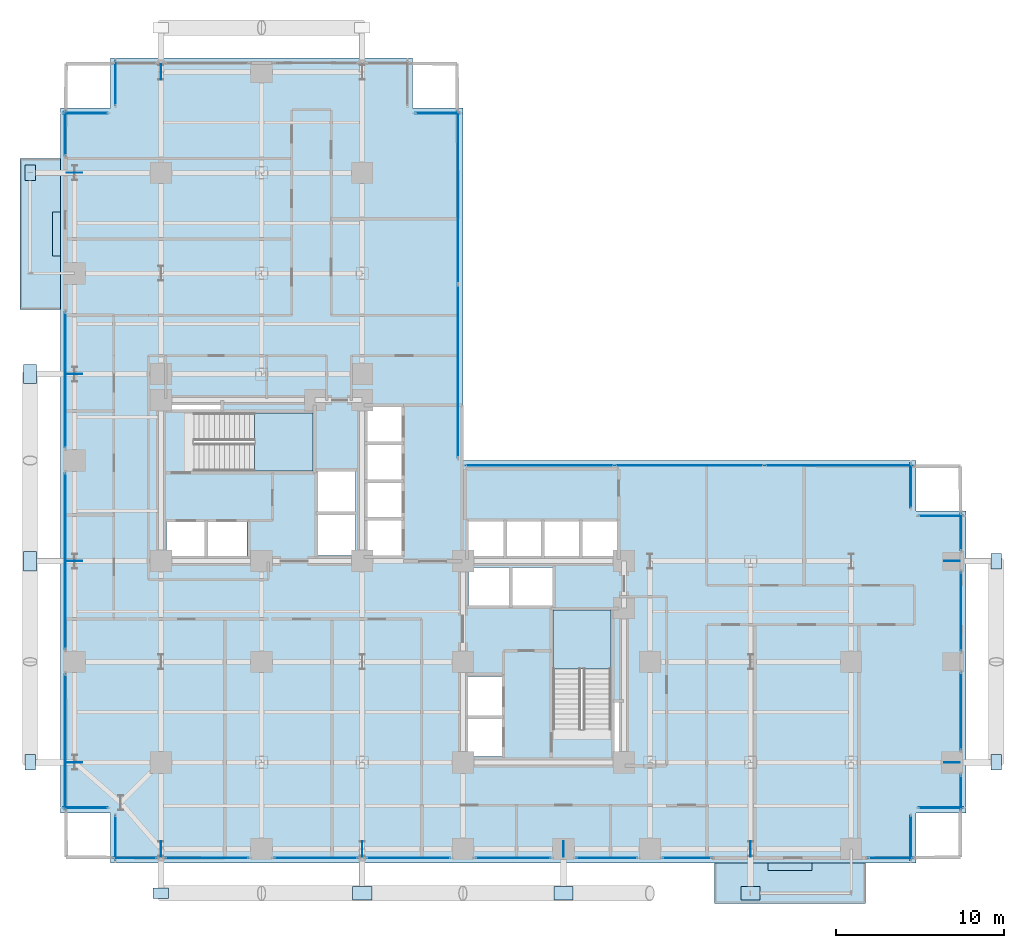
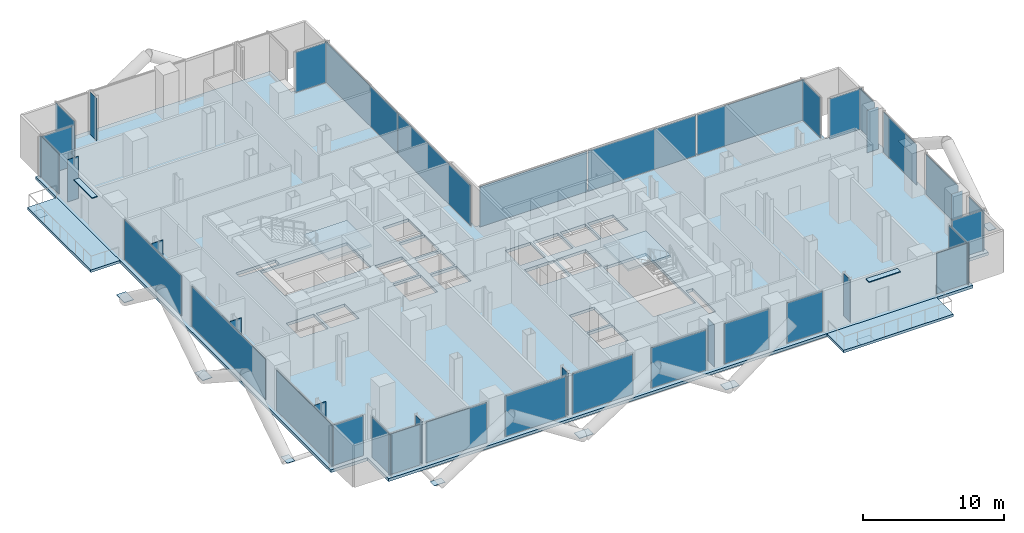
# One storey, part 17 of 27: 53 plates, 5 slabs, 29 elements without a shape of their own.
"""IFC4 building model written with IfcOpenShell, lengths in metres."""

import ifcopenshell
import ifcopenshell.guid

model = None  # the IFC model being written
_history = None  # IfcOwnerHistory: only IFC2X3 demands one
_inside = {}  # id of a spatial element -> (the spatial element, [elements in it])
_under = {}  # id of a project, library or spatial element -> (it, [spatial elements below it])
_declared = {}  # id of a project -> (the project, [libraries it declares])
_typed = {}  # id of a type object -> (the type object, [elements of that type])
_made_of = {}  # id of a material, layer set ... -> (it, [elements and type objects made of it])


def new_model(schema):
    """Start an empty IFC model of exactly this schema.

    Asked for "IFC4X3", IfcOpenShell would pick the latest addendum, in which some entities
    have other attributes; the version numbers below select the first issue.
    IFC2X3 requires an IfcOwnerHistory on every rooted entity: one is made here for all.
    """
    global model, _history
    if schema == "IFC4X3":
        model = ifcopenshell.file(schema_version=(4, 3, 0, 0))
    else:
        model = ifcopenshell.file(schema=schema)
    _inside.clear()
    _under.clear()
    _declared.clear()
    _typed.clear()
    _made_of.clear()
    _history = None
    if model.schema == "IFC2X3":
        org = make("IfcOrganization", Name="unknown")
        user = make(
            "IfcPersonAndOrganization",
            ThePerson=make("IfcPerson", FamilyName="unknown"),
            TheOrganization=org,
        )
        app = make(
            "IfcApplication",
            ApplicationDeveloper=org,
            Version="unknown",
            ApplicationFullName="unknown",
            ApplicationIdentifier="unknown",
        )
        _history = make(
            "IfcOwnerHistory",
            OwningUser=user,
            OwningApplication=app,
            ChangeAction="ADDED",
            CreationDate=0,
        )
    return model


def make(cls, **values):
    """One entity of the class cls with the attributes given. An attribute that is None is left unset."""
    return model.create_entity(
        cls, **{name: value for name, value in values.items() if value is not None}
    )


def rooted(cls, **values):
    """An entity with a GlobalId (a new one), such as an element, a storey or a relation."""
    return make(cls, GlobalId=ifcopenshell.guid.new(), OwnerHistory=_history, **values)


def si_unit(unit_type, name, prefix=None):
    """IfcSIUnit, for example si_unit("LENGTHUNIT", "METRE", prefix="MILLI")."""
    return make("IfcSIUnit", UnitType=unit_type, Prefix=prefix, Name=name)


def assignment(units):
    """IfcUnitAssignment: the units of a project."""
    return None if units is None else make("IfcUnitAssignment", Units=units)


def point(xyz):
    """IfcCartesianPoint."""
    return None if xyz is None else make("IfcCartesianPoint", Coordinates=xyz)


def direction(xyz):
    """IfcDirection."""
    return None if xyz is None else make("IfcDirection", DirectionRatios=xyz)


def frame(location, z_axis=None, x_axis=None):
    """IfcAxis2Placement3D, a coordinate frame: its origin and axes. An axis left out is left unset."""
    return make(
        "IfcAxis2Placement3D",
        Location=point(location),
        Axis=direction(z_axis),
        RefDirection=direction(x_axis),
    )


def frame_2d(location, x_axis=None):
    """IfcAxis2Placement2D, a coordinate frame in the plane: its origin and x axis."""
    return make(
        "IfcAxis2Placement2D", Location=point(location), RefDirection=direction(x_axis)
    )


def origin():
    """The frame at (0, 0, 0) with its axes left unset."""
    return frame((0.0, 0.0, 0.0))


def origin_2d():
    """The frame at (0, 0) in the plane with its x axis left unset."""
    return frame_2d((0.0, 0.0))


def place(relative_to, where):
    """IfcLocalPlacement: puts the frame where relative to a parent placement (None: the world)."""
    return make(
        "IfcLocalPlacement", PlacementRelTo=relative_to, RelativePlacement=where
    )


def context(
    kind, dimensions, precision=None, world=None, true_north=None, identifier=None
):
    """IfcGeometricRepresentationContext, for example the 3D "Model" context."""
    return make(
        "IfcGeometricRepresentationContext",
        ContextIdentifier=identifier,
        ContextType=kind,
        CoordinateSpaceDimension=dimensions,
        Precision=precision,
        WorldCoordinateSystem=world,
        TrueNorth=true_north,
    )


def subcontext(parent, identifier, kind, view, scale=None):
    """IfcGeometricRepresentationSubContext, for example "Body" below "Model"."""
    return make(
        "IfcGeometricRepresentationSubContext",
        ContextIdentifier=identifier,
        ContextType=kind,
        ParentContext=parent,
        TargetScale=scale,
        TargetView=view,
    )


def project(units=None, contexts=None):
    """IfcProject with its units and contexts."""
    return rooted(
        "IfcProject",
        Name="project",
        RepresentationContexts=contexts,
        UnitsInContext=assignment(units),
    )


def spatial(cls, under=None, at=None, **own):
    """A site, building, storey or space (cls), placed at a placement, below another one or the project."""
    s = rooted(cls, ObjectPlacement=at, **own)
    if under is not None:
        _under.setdefault(under.id(), (under, []))[1].append(s)
    return s


def polyline(points):
    """IfcPolyline through the points."""
    return make("IfcPolyline", Points=[point(p) for p in points])


def profile(cls, at=None, kind="AREA", **sizes):
    """A parametric profile (cls). Its sizes go by their IFC names, for example OverallWidth=200.0."""
    return make(cls, ProfileType=kind, Position=at, **sizes)


def rectangle(**sizes):
    """IfcRectangleProfileDef."""
    return profile("IfcRectangleProfileDef", **sizes)


def outline(outer, holes=None, kind="AREA"):
    """IfcArbitraryClosedProfileDef: a profile drawn as a closed curve; with holes, ...WithVoids."""
    if holes is None:
        return make("IfcArbitraryClosedProfileDef", ProfileType=kind, OuterCurve=outer)
    return make(
        "IfcArbitraryProfileDefWithVoids",
        ProfileType=kind,
        OuterCurve=outer,
        InnerCurves=holes,
    )


def extrude(swept, where, along, depth):
    """IfcExtrudedAreaSolid: the profile swept, set in the frame where, extruded along a direction by depth."""
    return make(
        "IfcExtrudedAreaSolid",
        SweptArea=swept,
        Position=where,
        ExtrudedDirection=direction(along),
        Depth=depth,
    )


def shape(context_of_items, identifier, shape_type, items):
    """IfcShapeRepresentation: the items that make up one representation, for example the "Body"."""
    return make(
        "IfcShapeRepresentation",
        ContextOfItems=context_of_items,
        RepresentationIdentifier=identifier,
        RepresentationType=shape_type,
        Items=items,
    )


def material(Name=None, Category=None):
    """IfcMaterial."""
    return make("IfcMaterial", Name=Name, Category=Category)


def layer(
    of_material, thickness, ventilated=None, Name=None, Category=None, Priority=None
):
    """IfcMaterialLayer: one layer of a wall or slab, of a material (None: an air gap)."""
    return make(
        "IfcMaterialLayer",
        Material=of_material,
        LayerThickness=thickness,
        IsVentilated=ventilated,
        Name=Name,
        Category=Category,
        Priority=Priority,
    )


def layer_set(layers, Name=None):
    """IfcMaterialLayerSet."""
    return make("IfcMaterialLayerSet", MaterialLayers=layers, LayerSetName=Name)


def made_of(thing, what):
    """Note that an element or type object is made of a material, layer set ...; save() writes the relation."""
    if what is not None:
        _made_of.setdefault(what.id(), (what, []))[1].append(thing)
    return thing


def type_object(cls, material=None, **own):
    """A type object (cls), such as IfcWallType, which elements share."""
    return made_of(rooted(cls, **own), material)


def element(
    cls,
    number,
    at=None,
    inside=None,
    cuts=None,
    type_object=None,
    material=None,
    context=None,
    identifier="Body",
    shape_type=None,
    held_by="IfcProductDefinitionShape",
    body=None,
    shapes=None,
    **own,
):
    """One element of the class cls, such as IfcWall. Its Tag is "e" and its number.

    at: its placement. inside: the storey or other place that contains it. cuts: it is an
    opening in that element (IfcRelVoidsElement). A single representation is given by context,
    identifier, shape_type and body (its items); several are given by shapes. held_by: the class
    of the entity that holds the representations. save() writes the other relations.
    """
    e = rooted(cls, Tag="e%d" % number, ObjectPlacement=at, **own)
    if body is not None:
        shapes = [shape(context, identifier, shape_type, body)]
    if shapes is not None:
        e.Representation = make(held_by, Representations=shapes)
    if inside is not None:
        _inside.setdefault(inside.id(), (inside, []))[1].append(e)
    if cuts is not None:
        rooted(
            "IfcRelVoidsElement", RelatingBuildingElement=cuts, RelatedOpeningElement=e
        )
    if type_object is not None:
        _typed.setdefault(type_object.id(), (type_object, []))[1].append(e)
    return made_of(e, material)


def aggregate(whole, parts):
    """IfcRelAggregates: a whole, such as a stair, and the parts it consists of."""
    return rooted("IfcRelAggregates", RelatingObject=whole, RelatedObjects=parts)


def save(model, path):
    """Write the relations noted so far, then the file.

    IfcRelAggregates (storeys below a building ...), IfcRelContainedInSpatialStructure (elements
    in a storey), IfcRelDefinesByType, IfcRelAssociatesMaterial and IfcRelDeclares: one each for
    every whole, place, type object, material and project.
    """
    for whole, parts in _under.values():
        aggregate(whole, parts)
    for where, things in _inside.values():
        rooted(
            "IfcRelContainedInSpatialStructure",
            RelatedElements=things,
            RelatingStructure=where,
        )
    for kind, things in _typed.values():
        rooted("IfcRelDefinesByType", RelatedObjects=things, RelatingType=kind)
    for what, things in _made_of.values():
        rooted("IfcRelAssociatesMaterial", RelatedObjects=things, RelatingMaterial=what)
    for by, libraries in _declared.values():
        rooted("IfcRelDeclares", RelatingContext=by, RelatedDefinitions=libraries)
    model.write(path)


model = new_model("IFC4")

# Units and contexts
model_context = context("Model", 3, precision=1e-05, world=origin(), true_north=direction((0.0, 1.0)))
body_context = subcontext(model_context, "Body", "Model", "MODEL_VIEW")
ifc_project = project(units=[si_unit("LENGTHUNIT", "METRE"), si_unit("AREAUNIT", "SQUARE_METRE"), si_unit("VOLUMEUNIT", "CUBIC_METRE"), si_unit("PLANEANGLEUNIT", "RADIAN"), si_unit("MASSUNIT", "GRAM", prefix="KILO"), si_unit("THERMODYNAMICTEMPERATUREUNIT", "KELVIN"), si_unit("POWERUNIT", "WATT")], contexts=[model_context])

# Site, building, storey
site_placement = place(None, origin())
site = spatial("IfcSite", under=ifc_project, at=site_placement, CompositionType="ELEMENT")
building_placement = place(site_placement, origin())
building = spatial("IfcBuilding", under=site, at=building_placement, Name="Svarakhadi Broadcast Tower", CompositionType="ELEMENT")
storey_placement = place(building_placement, frame((0.0, 0.0, 71.39990234375)))
storey = spatial("IfcBuildingStorey", under=building, at=storey_placement, Name="L16", CompositionType="ELEMENT", Elevation=71.39990234375)

# Curtain wall, plate
ifc_material_1 = material(Name="Anodised Bronze Aluminium AA 6063-T6", Category="aluminium")
ifc_layer_1 = layer(ifc_material_1, 0.219970703125)
ifc_layer_set_1 = layer_set([ifc_layer_1], Name="Anodised Bronze Aluminium AA 6063-T6")
curtain_wall_type = type_object("IfcCurtainWallType", Name="CW_Sys_02", PredefinedType="NOTDEFINED", material=ifc_layer_set_1)
curtain_wall_1_placement = place(storey_placement, origin())
curtain_wall_1 = element("IfcCurtainWall", 1, at=curtain_wall_1_placement, inside=storey, type_object=curtain_wall_type, Name="L16 Unitised Facade Curtain Wall 01", PredefinedType="NOTDEFINED")
ifc_material_2 = material(Name="Double Low-E Laminated Acoustic Glass IGU 36 mm", Category="glass")
ifc_layer_2 = layer(ifc_material_2, 0.035888671875)
ifc_layer_set_2 = layer_set([ifc_layer_2], Name="Double Low-E Laminated Acoustic Glass IGU 36 mm")
plate_type_1 = type_object("IfcPlateType", Name="CW_Sys_02_Pnl", PredefinedType="CURTAIN_PANEL", material=ifc_layer_set_2)
plate_1_placement = place(storey_placement, frame((1.5, 3.300048828125, 0.0751953125), z_axis=(0.0, 0.0, 1.0), x_axis=(-1.0, 0.0, 0.0)))
plate_1 = element("IfcPlate", 2, at=plate_1_placement, type_object=plate_type_1, Name="CW-02 panel 1.1", PredefinedType="CURTAIN_PANEL", context=body_context, shape_type="SweptSolid", body=[
    extrude(rectangle(XDim=2.64990234375, YDim=0.035888671875, at=origin_2d()), origin(), (0.0, 0.0, 1.0), 3.5),
])
aggregate(curtain_wall_1, [plate_1])

curtain_wall_2_placement = place(storey_placement, origin())
curtain_wall_2 = element("IfcCurtainWall", 3, at=curtain_wall_2_placement, inside=storey, type_object=curtain_wall_type, Name="L16 West Curtain Wall 02 Bay 1", PredefinedType="NOTDEFINED")
plate_2_placement = place(storey_placement, frame((0.300048828125, 7.2099609375, 0.0751953125), z_axis=(0.0, 0.0, 1.0), x_axis=(0.0, 1.0, 0.0)))
plate_2 = element("IfcPlate", 4, at=plate_2_placement, type_object=plate_type_1, Name="CW-02 panel 1.1", PredefinedType="CURTAIN_PANEL", context=body_context, shape_type="SweptSolid", body=[
    extrude(rectangle(XDim=8.070068359375, YDim=0.035888671875, at=origin_2d()), origin(), (0.0, 0.0, 1.0), 3.5),
])
aggregate(curtain_wall_2, [plate_2])

curtain_wall_3_placement = place(storey_placement, origin())
curtain_wall_3 = element("IfcCurtainWall", 5, at=curtain_wall_3_placement, inside=storey, type_object=curtain_wall_type, Name="L16 West Curtain Wall 02 Bay 2", PredefinedType="NOTDEFINED")
plate_3_placement = place(storey_placement, frame((0.300048828125, 18.0, 0.0751953125), z_axis=(0.0, 0.0, 1.0), x_axis=(0.0, 1.0, 0.0)))
plate_3 = element("IfcPlate", 6, at=plate_3_placement, type_object=plate_type_1, Name="CW-02 panel 1.1", PredefinedType="CURTAIN_PANEL", context=body_context, shape_type="SweptSolid", body=[
    extrude(rectangle(XDim=10.489990234375, YDim=0.035888671875, at=origin_2d()), origin(), (0.0, 0.0, 1.0), 3.5),
])
aggregate(curtain_wall_3, [plate_3])

curtain_wall_4_placement = place(storey_placement, origin())
curtain_wall_4 = element("IfcCurtainWall", 7, at=curtain_wall_4_placement, inside=storey, type_object=curtain_wall_type, Name="L16 West Curtain Wall 02 Bay 3", PredefinedType="NOTDEFINED")
plate_4_placement = place(storey_placement, frame((0.300048828125, 28.7900390625, 0.0751953125), z_axis=(0.0, 0.0, 1.0), x_axis=(0.0, 1.0, 0.0)))
plate_4 = element("IfcPlate", 8, at=plate_4_placement, type_object=plate_type_1, Name="CW-02 panel 1.1", PredefinedType="CURTAIN_PANEL", context=body_context, shape_type="SweptSolid", body=[
    extrude(rectangle(XDim=8.070068359375, YDim=0.035888671875, at=origin_2d()), origin(), (0.0, 0.0, 1.0), 3.5),
])
aggregate(curtain_wall_4, [plate_4])

curtain_wall_5_placement = place(storey_placement, origin())
curtain_wall_5 = element("IfcCurtainWall", 9, at=curtain_wall_5_placement, inside=storey, type_object=curtain_wall_type, Name="L16 West Curtain Wall 03", PredefinedType="NOTDEFINED")
plate_5_placement = place(storey_placement, frame((0.300048828125, 43.5, 0.0751953125), z_axis=(0.0, 0.0, 1.0), x_axis=(0.0, 1.0, 0.0)))
plate_5 = element("IfcPlate", 10, at=plate_5_placement, type_object=plate_type_1, Name="CW-02 panel 1.1", PredefinedType="CURTAIN_PANEL", context=body_context, shape_type="SweptSolid", body=[
    extrude(rectangle(XDim=2.64990234375, YDim=0.035888671875, at=origin_2d()), origin(), (0.0, 0.0, 1.0), 3.5),
])
aggregate(curtain_wall_5, [plate_5])

curtain_wall_6_placement = place(storey_placement, origin())
curtain_wall_6 = element("IfcCurtainWall", 11, at=curtain_wall_6_placement, inside=storey, type_object=curtain_wall_type, Name="L16 Unitised Facade Curtain Wall 04", PredefinedType="NOTDEFINED")
plate_6_placement = place(storey_placement, frame((1.5, 44.699951171875, 0.0751953125), z_axis=(0.0, 0.0, 1.0), x_axis=(1.0, 0.0, 0.0)))
plate_6 = element("IfcPlate", 12, at=plate_6_placement, type_object=plate_type_1, Name="CW-02 panel 1.1", PredefinedType="CURTAIN_PANEL", context=body_context, shape_type="SweptSolid", body=[
    extrude(rectangle(XDim=2.64990234375, YDim=0.035888671875, at=origin_2d()), origin(), (0.0, 0.0, 1.0), 3.5),
])
aggregate(curtain_wall_6, [plate_6])

curtain_wall_7_placement = place(storey_placement, origin())
curtain_wall_7 = element("IfcCurtainWall", 13, at=curtain_wall_7_placement, inside=storey, type_object=curtain_wall_type, Name="L16 Unitised Facade Curtain Wall 05", PredefinedType="NOTDEFINED")
plate_7_placement = place(storey_placement, frame((3.300048828125, 46.5, 0.0751953125), z_axis=(0.0, 0.0, 1.0), x_axis=(0.0, 1.0, 0.0)))
plate_7 = element("IfcPlate", 14, at=plate_7_placement, type_object=plate_type_1, Name="CW-02 panel 1.1", PredefinedType="CURTAIN_PANEL", context=body_context, shape_type="SweptSolid", body=[
    extrude(rectangle(XDim=2.64990234375, YDim=0.035888671875, at=origin_2d()), origin(), (0.0, 0.0, 1.0), 3.5),
])
aggregate(curtain_wall_7, [plate_7])

curtain_wall_8_placement = place(storey_placement, origin())
curtain_wall_8 = element("IfcCurtainWall", 15, at=curtain_wall_8_placement, inside=storey, type_object=curtain_wall_type, Name="L16 Unitised Facade Curtain Wall 08", PredefinedType="NOTDEFINED")
plate_8_placement = place(storey_placement, frame((22.5, 44.699951171875, 0.0751953125), z_axis=(0.0, 0.0, 1.0), x_axis=(1.0, 0.0, 0.0)))
plate_8 = element("IfcPlate", 16, at=plate_8_placement, type_object=plate_type_1, Name="CW-02 panel 1.1", PredefinedType="CURTAIN_PANEL", context=body_context, shape_type="SweptSolid", body=[
    extrude(rectangle(XDim=2.64990234375, YDim=0.035888671875, at=origin_2d()), origin(), (0.0, 0.0, 1.0), 3.5),
])
aggregate(curtain_wall_8, [plate_8])

# Curtain wall, plates
curtain_wall_9_placement = place(storey_placement, origin())
curtain_wall_9 = element("IfcCurtainWall", 17, at=curtain_wall_9_placement, inside=storey, type_object=curtain_wall_type, Name="L16 Unitised Facade Curtain Wall 09", PredefinedType="NOTDEFINED")
plate_9_placement = place(storey_placement, frame((23.699951171875, 39.683837890625, 0.0751953125), z_axis=(0.0, 0.0, 1.0), x_axis=(0.0, -1.0, 0.0)))
plate_9 = element("IfcPlate", 18, at=plate_9_placement, type_object=plate_type_1, Name="CW-02 panel 1.1", PredefinedType="CURTAIN_PANEL", context=body_context, shape_type="SweptSolid", body=[
    extrude(rectangle(XDim=10.282470703125, YDim=0.035888671875, at=origin_2d()), origin(), (0.0, 0.0, 1.0), 3.5),
])
plate_10_placement = place(storey_placement, frame((23.699951171875, 29.316162109375, 0.0751953125), z_axis=(0.0, 0.0, 1.0), x_axis=(0.0, -1.0, 0.0)))
plate_10 = element("IfcPlate", 19, at=plate_10_placement, type_object=plate_type_1, Name="CW-02 panel 2.1", PredefinedType="CURTAIN_PANEL", context=body_context, shape_type="SweptSolid", body=[
    extrude(rectangle(XDim=10.282470703125, YDim=0.035888671875, at=origin_2d()), origin(), (0.0, 0.0, 1.0), 3.5),
])
aggregate(curtain_wall_9, [plate_9, plate_10])

curtain_wall_10_placement = place(storey_placement, origin())
curtain_wall_10 = element("IfcCurtainWall", 20, at=curtain_wall_10_placement, inside=storey, type_object=curtain_wall_type, Name="L16 Unitised Facade Curtain Wall 10", PredefinedType="NOTDEFINED")
plate_11_placement = place(storey_placement, frame((28.581298828125, 23.699951171875, 0.0751953125), z_axis=(0.0, 0.0, 1.0), x_axis=(1.0, 0.0, 0.0)))
plate_11 = element("IfcPlate", 21, at=plate_11_placement, type_object=plate_type_1, Name="CW-02 panel 1.1", PredefinedType="CURTAIN_PANEL", context=body_context, shape_type="SweptSolid", body=[
    extrude(rectangle(XDim=8.8125, YDim=0.035888671875, at=origin_2d()), origin(), (0.0, 0.0, 1.0), 3.5),
])
plate_12_placement = place(storey_placement, frame((37.5, 23.699951171875, 0.0751953125), z_axis=(0.0, 0.0, 1.0), x_axis=(1.0, 0.0, 0.0)))
plate_12 = element("IfcPlate", 22, at=plate_12_placement, type_object=plate_type_1, Name="CW-02 panel 2.1", PredefinedType="CURTAIN_PANEL", context=body_context, shape_type="SweptSolid", body=[
    extrude(rectangle(XDim=8.85498046875, YDim=0.035888671875, at=origin_2d()), origin(), (0.0, 0.0, 1.0), 3.5),
])
plate_13_placement = place(storey_placement, frame((46.418701171875, 23.699951171875, 0.0751953125), z_axis=(0.0, 0.0, 1.0), x_axis=(1.0, 0.0, 0.0)))
plate_13 = element("IfcPlate", 23, at=plate_13_placement, type_object=plate_type_1, Name="CW-02 panel 3.1", PredefinedType="CURTAIN_PANEL", context=body_context, shape_type="SweptSolid", body=[
    extrude(rectangle(XDim=8.8125, YDim=0.035888671875, at=origin_2d()), origin(), (0.0, 0.0, 1.0), 3.5),
])
aggregate(curtain_wall_10, [plate_11, plate_12, plate_13])

# Curtain wall, plate
curtain_wall_11_placement = place(storey_placement, origin())
curtain_wall_11 = element("IfcCurtainWall", 24, at=curtain_wall_11_placement, inside=storey, type_object=curtain_wall_type, Name="L16 Unitised Facade Curtain Wall 11", PredefinedType="NOTDEFINED")
plate_14_placement = place(storey_placement, frame((50.699951171875, 22.5, 0.0751953125), z_axis=(0.0, 0.0, 1.0), x_axis=(0.0, -1.0, 0.0)))
plate_14 = element("IfcPlate", 25, at=plate_14_placement, type_object=plate_type_1, Name="CW-02 panel 1.1", PredefinedType="CURTAIN_PANEL", context=body_context, shape_type="SweptSolid", body=[
    extrude(rectangle(XDim=2.64990234375, YDim=0.035888671875, at=origin_2d()), origin(), (0.0, 0.0, 1.0), 3.5),
])
aggregate(curtain_wall_11, [plate_14])

curtain_wall_12_placement = place(storey_placement, origin())
curtain_wall_12 = element("IfcCurtainWall", 26, at=curtain_wall_12_placement, inside=storey, type_object=curtain_wall_type, Name="L16 Unitised Facade Curtain Wall 12", PredefinedType="NOTDEFINED")
plate_15_placement = place(storey_placement, frame((52.5, 20.699951171875, 0.0751953125), z_axis=(0.0, 0.0, 1.0), x_axis=(1.0, 0.0, 0.0)))
plate_15 = element("IfcPlate", 27, at=plate_15_placement, type_object=plate_type_1, Name="CW-02 panel 1.1", PredefinedType="CURTAIN_PANEL", context=body_context, shape_type="SweptSolid", body=[
    extrude(rectangle(XDim=2.64990234375, YDim=0.035888671875, at=origin_2d()), origin(), (0.0, 0.0, 1.0), 3.5),
])
aggregate(curtain_wall_12, [plate_15])

curtain_wall_13_placement = place(storey_placement, origin())
curtain_wall_13 = element("IfcCurtainWall", 28, at=curtain_wall_13_placement, inside=storey, type_object=curtain_wall_type, Name="L16 Unitised Facade Curtain Wall 13 Bay 1", PredefinedType="NOTDEFINED")
plate_16_placement = place(storey_placement, frame((53.699951171875, 19.739990234375, 0.0751953125), z_axis=(0.0, 0.0, 1.0), x_axis=(0.0, -1.0, 0.0)))
plate_16 = element("IfcPlate", 29, at=plate_16_placement, type_object=plate_type_1, Name="CW-02 panel 1.1", PredefinedType="CURTAIN_PANEL", context=body_context, shape_type="SweptSolid", body=[
    extrude(rectangle(XDim=2.169921875, YDim=0.035888671875, at=origin_2d()), origin(), (0.0, 0.0, 1.0), 3.5),
])
aggregate(curtain_wall_13, [plate_16])

curtain_wall_14_placement = place(storey_placement, origin())
curtain_wall_14 = element("IfcCurtainWall", 30, at=curtain_wall_14_placement, inside=storey, type_object=curtain_wall_type, Name="L16 Unitised Facade Curtain Wall 13 Bay 2", PredefinedType="NOTDEFINED")
plate_17_placement = place(storey_placement, frame((53.699951171875, 15.0, 0.0751953125), z_axis=(0.0, 0.0, 1.0), x_axis=(0.0, -1.0, 0.0)))
plate_17 = element("IfcPlate", 31, at=plate_17_placement, type_object=plate_type_1, Name="CW-02 panel 1.1", PredefinedType="CURTAIN_PANEL", context=body_context, shape_type="SweptSolid", body=[
    extrude(rectangle(XDim=4.68994140625, YDim=0.035888671875, at=origin_2d()), origin(), (0.0, 0.0, 1.0), 3.5),
])
aggregate(curtain_wall_14, [plate_17])

curtain_wall_15_placement = place(storey_placement, origin())
curtain_wall_15 = element("IfcCurtainWall", 32, at=curtain_wall_15_placement, inside=storey, type_object=curtain_wall_type, Name="L16 Unitised Facade Curtain Wall 13 Bay 3", PredefinedType="NOTDEFINED")
plate_18_placement = place(storey_placement, frame((53.699951171875, 9.050048828125, 0.0751953125), z_axis=(0.0, 0.0, 1.0), x_axis=(0.0, -1.0, 0.0)))
plate_18 = element("IfcPlate", 33, at=plate_18_placement, type_object=plate_type_1, Name="CW-02 panel 1.1", PredefinedType="CURTAIN_PANEL", context=body_context, shape_type="SweptSolid", body=[
    extrude(rectangle(XDim=4.590087890625, YDim=0.035888671875, at=origin_2d()), origin(), (0.0, 0.0, 1.0), 3.5),
])
aggregate(curtain_wall_15, [plate_18])

curtain_wall_16_placement = place(storey_placement, origin())
curtain_wall_16 = element("IfcCurtainWall", 34, at=curtain_wall_16_placement, inside=storey, type_object=curtain_wall_type, Name="L16 Unitised Facade Curtain Wall 13 Bay 4", PredefinedType="NOTDEFINED")
plate_19_placement = place(storey_placement, frame((53.699951171875, 4.2099609375, 0.0751953125), z_axis=(0.0, 0.0, 1.0), x_axis=(0.0, -1.0, 0.0)))
plate_19 = element("IfcPlate", 35, at=plate_19_placement, type_object=plate_type_1, Name="CW-02 panel 1.1", PredefinedType="CURTAIN_PANEL", context=body_context, shape_type="SweptSolid", body=[
    extrude(rectangle(XDim=2.070068359375, YDim=0.035888671875, at=origin_2d()), origin(), (0.0, 0.0, 1.0), 3.5),
])
aggregate(curtain_wall_16, [plate_19])

curtain_wall_17_placement = place(storey_placement, origin())
curtain_wall_17 = element("IfcCurtainWall", 36, at=curtain_wall_17_placement, inside=storey, type_object=curtain_wall_type, Name="L16 Unitised Facade Curtain Wall 14", PredefinedType="NOTDEFINED")
plate_20_placement = place(storey_placement, frame((52.5, 3.300048828125, 0.0751953125), z_axis=(0.0, 0.0, 1.0), x_axis=(-1.0, 0.0, 0.0)))
plate_20 = element("IfcPlate", 37, at=plate_20_placement, type_object=plate_type_1, Name="CW-02 panel 1.1", PredefinedType="CURTAIN_PANEL", context=body_context, shape_type="SweptSolid", body=[
    extrude(rectangle(XDim=2.64990234375, YDim=0.035888671875, at=origin_2d()), origin(), (0.0, 0.0, 1.0), 3.5),
])
aggregate(curtain_wall_17, [plate_20])

curtain_wall_18_placement = place(storey_placement, origin())
curtain_wall_18 = element("IfcCurtainWall", 38, at=curtain_wall_18_placement, inside=storey, type_object=curtain_wall_type, Name="L16 Unitised Facade Curtain Wall 15", PredefinedType="NOTDEFINED")
plate_21_placement = place(storey_placement, frame((50.699951171875, 1.5, 0.0751953125), z_axis=(0.0, 0.0, 1.0), x_axis=(0.0, -1.0, 0.0)))
plate_21 = element("IfcPlate", 39, at=plate_21_placement, type_object=plate_type_1, Name="CW-02 panel 1.1", PredefinedType="CURTAIN_PANEL", context=body_context, shape_type="SweptSolid", body=[
    extrude(rectangle(XDim=2.64990234375, YDim=0.035888671875, at=origin_2d()), origin(), (0.0, 0.0, 1.0), 3.5),
])
aggregate(curtain_wall_18, [plate_21])

curtain_wall_19_placement = place(storey_placement, origin())
curtain_wall_19 = element("IfcCurtainWall", 40, at=curtain_wall_19_placement, inside=storey, type_object=curtain_wall_type, Name="L16 South Curtain Wall 16", PredefinedType="NOTDEFINED")
plate_22_placement = place(storey_placement, frame((49.5, 0.300048828125, 0.0751953125), z_axis=(0.0, 0.0, 1.0), x_axis=(-1.0, 0.0, 0.0)))
plate_22 = element("IfcPlate", 41, at=plate_22_placement, type_object=plate_type_1, Name="CW-02 panel 1.1", PredefinedType="CURTAIN_PANEL", context=body_context, shape_type="SweptSolid", body=[
    extrude(rectangle(XDim=2.64990234375, YDim=0.035888671875, at=origin_2d()), origin(), (0.0, 0.0, 1.0), 3.5),
])
aggregate(curtain_wall_19, [plate_22])

curtain_wall_20_placement = place(storey_placement, origin())
curtain_wall_20 = element("IfcCurtainWall", 42, at=curtain_wall_20_placement, inside=storey, type_object=curtain_wall_type, Name="L16 South Curtain Wall 17 Bay 1", PredefinedType="NOTDEFINED")
plate_23_placement = place(storey_placement, frame((37.364990234375, 0.300048828125, 0.0751953125), z_axis=(0.0, 0.0, 1.0), x_axis=(-1.0, 0.0, 0.0)))
plate_23 = element("IfcPlate", 43, at=plate_23_placement, type_object=plate_type_1, Name="CW-02 panel 1.1", PredefinedType="CURTAIN_PANEL", context=body_context, shape_type="SweptSolid", body=[
    extrude(rectangle(XDim=2.919921875, YDim=0.035888671875, at=origin_2d()), origin(), (0.0, 0.0, 1.0), 3.5),
])
aggregate(curtain_wall_20, [plate_23])

curtain_wall_21_placement = place(storey_placement, origin())
curtain_wall_21 = element("IfcCurtainWall", 44, at=curtain_wall_21_placement, inside=storey, type_object=curtain_wall_type, Name="L16 South Curtain Wall 17 Bay 2", PredefinedType="NOTDEFINED")
plate_24_placement = place(storey_placement, frame((32.574951171875, 0.300048828125, 0.0751953125), z_axis=(0.0, 0.0, 1.0), x_axis=(-1.0, 0.0, 0.0)))
plate_24 = element("IfcPlate", 45, at=plate_24_placement, type_object=plate_type_1, Name="CW-02 panel 1.1", PredefinedType="CURTAIN_PANEL", context=body_context, shape_type="SweptSolid", body=[
    extrude(rectangle(XDim=3.639892578125, YDim=0.035888671875, at=origin_2d()), origin(), (0.0, 0.0, 1.0), 3.5),
])
aggregate(curtain_wall_21, [plate_24])

curtain_wall_22_placement = place(storey_placement, origin())
curtain_wall_22 = element("IfcCurtainWall", 46, at=curtain_wall_22_placement, inside=storey, type_object=curtain_wall_type, Name="L16 South Curtain Wall 17 Bay 3", PredefinedType="NOTDEFINED")
plate_25_placement = place(storey_placement, frame((27.0, 0.300048828125, 0.0751953125), z_axis=(0.0, 0.0, 1.0), x_axis=(-1.0, 0.0, 0.0)))
plate_25 = element("IfcPlate", 47, at=plate_25_placement, type_object=plate_type_1, Name="CW-02 panel 1.1", PredefinedType="CURTAIN_PANEL", context=body_context, shape_type="SweptSolid", body=[
    extrude(rectangle(XDim=4.489990234375, YDim=0.035888671875, at=origin_2d()), origin(), (0.0, 0.0, 1.0), 3.5),
])
aggregate(curtain_wall_22, [plate_25])

curtain_wall_23_placement = place(storey_placement, origin())
curtain_wall_23 = element("IfcCurtainWall", 48, at=curtain_wall_23_placement, inside=storey, type_object=curtain_wall_type, Name="L16 South Curtain Wall 17 Bay 4", PredefinedType="NOTDEFINED")
plate_26_placement = place(storey_placement, frame((20.75, 0.300048828125, 0.0751953125), z_axis=(0.0, 0.0, 1.0), x_axis=(-1.0, 0.0, 0.0)))
plate_26 = element("IfcPlate", 49, at=plate_26_placement, type_object=plate_type_1, Name="CW-02 panel 1.1", PredefinedType="CURTAIN_PANEL", context=body_context, shape_type="SweptSolid", body=[
    extrude(rectangle(XDim=4.989990234375, YDim=0.035888671875, at=origin_2d()), origin(), (0.0, 0.0, 1.0), 3.5),
])
aggregate(curtain_wall_23, [plate_26])

curtain_wall_24_placement = place(storey_placement, origin())
curtain_wall_24 = element("IfcCurtainWall", 50, at=curtain_wall_24_placement, inside=storey, type_object=curtain_wall_type, Name="L16 South Curtain Wall 17 Bay 5", PredefinedType="NOTDEFINED")
plate_27_placement = place(storey_placement, frame((15.25, 0.300048828125, 0.0751953125), z_axis=(0.0, 0.0, 1.0), x_axis=(-1.0, 0.0, 0.0)))
plate_27 = element("IfcPlate", 51, at=plate_27_placement, type_object=plate_type_1, Name="CW-02 panel 1.1", PredefinedType="CURTAIN_PANEL", context=body_context, shape_type="SweptSolid", body=[
    extrude(rectangle(XDim=4.989990234375, YDim=0.035888671875, at=origin_2d()), origin(), (0.0, 0.0, 1.0), 3.5),
])
aggregate(curtain_wall_24, [plate_27])

curtain_wall_25_placement = place(storey_placement, origin())
curtain_wall_25 = element("IfcCurtainWall", 52, at=curtain_wall_25_placement, inside=storey, type_object=curtain_wall_type, Name="L16 South Curtain Wall 17 Bay 6", PredefinedType="NOTDEFINED")
plate_28_placement = place(storey_placement, frame((8.75, 0.300048828125, 0.0751953125), z_axis=(0.0, 0.0, 1.0), x_axis=(-1.0, 0.0, 0.0)))
plate_28 = element("IfcPlate", 53, at=plate_28_placement, type_object=plate_type_1, Name="CW-02 panel 1.1", PredefinedType="CURTAIN_PANEL", context=body_context, shape_type="SweptSolid", body=[
    extrude(rectangle(XDim=4.989990234375, YDim=0.035888671875, at=origin_2d()), origin(), (0.0, 0.0, 1.0), 3.5),
])
aggregate(curtain_wall_25, [plate_28])

curtain_wall_26_placement = place(storey_placement, origin())
curtain_wall_26 = element("IfcCurtainWall", 54, at=curtain_wall_26_placement, inside=storey, type_object=curtain_wall_type, Name="L16 South Curtain Wall 17 Bay 7", PredefinedType="NOTDEFINED")
plate_29_placement = place(storey_placement, frame((4.4599609375, 0.300048828125, 0.0751953125), z_axis=(0.0, 0.0, 1.0), x_axis=(-1.0, 0.0, 0.0)))
plate_29 = element("IfcPlate", 55, at=plate_29_placement, type_object=plate_type_1, Name="CW-02 panel 1.1", PredefinedType="CURTAIN_PANEL", context=body_context, shape_type="SweptSolid", body=[
    extrude(rectangle(XDim=2.570068359375, YDim=0.035888671875, at=origin_2d()), origin(), (0.0, 0.0, 1.0), 3.5),
])
aggregate(curtain_wall_26, [plate_29])

curtain_wall_27_placement = place(storey_placement, origin())
curtain_wall_27 = element("IfcCurtainWall", 56, at=curtain_wall_27_placement, inside=storey, type_object=curtain_wall_type, Name="L16 Unitised Facade Curtain Wall 18", PredefinedType="NOTDEFINED")
plate_30_placement = place(storey_placement, frame((3.300048828125, 1.5, 0.0751953125), z_axis=(0.0, 0.0, 1.0), x_axis=(0.0, 1.0, 0.0)))
plate_30 = element("IfcPlate", 57, at=plate_30_placement, type_object=plate_type_1, Name="CW-02 panel 1.1", PredefinedType="CURTAIN_PANEL", context=body_context, shape_type="SweptSolid", body=[
    extrude(rectangle(XDim=2.64990234375, YDim=0.035888671875, at=origin_2d()), origin(), (0.0, 0.0, 1.0), 3.5),
])
aggregate(curtain_wall_27, [plate_30])

# Plates
ifc_material_3 = material(Name="Steel S460ML (IS 2062 E450BR)", Category="steel")
ifc_layer_3 = layer(ifc_material_3, 0.035888671875)
ifc_layer_set_3 = layer_set([ifc_layer_3], Name="Steel S460ML (IS 2062 E450BR)")
plate_type_2 = type_object("IfcPlateType", Name="Node_Gusset_N01", PredefinedType="SHEET", material=ifc_layer_set_3)
for number, where, z_axis, x_axis, name in (
    (58, (18.0, -1.800048828125, -0.25), (0.0, 0.0, 1.0), (1.0, 0.0, 0.0), "L16 Exoskeleton Gusset Node Plate S02"),
    (59, (30.0, -1.800048828125, -0.25), (0.0, 0.0, 1.0), (1.0, 0.0, 0.0), "L16 Exoskeleton Gusset Node Plate S03"),
    (60, (41.14990234375, -1.800048828125, -0.25), (0.0, 0.0, 1.0), (1.0, 0.0, 0.0), "L16 Exoskeleton Gusset Node Plate S04"),
    (61, (-1.800048828125, 18.0, -0.25), (0.0, 0.0, 1.0), (0.0, 1.0, 0.0), "L16 Exoskeleton Gusset Node Plate W06"),
    (62, (-1.800048828125, 29.14990234375, -0.25), (0.0, 0.0, 1.0), (0.0, 1.0, 0.0), "L16 Exoskeleton Gusset Node Plate W07"),
):
    element("IfcPlate", number, at=place(storey_placement, frame(where, z_axis=z_axis, x_axis=x_axis)), inside=storey, type_object=plate_type_2, Name=name, PredefinedType="SHEET", context=body_context, shape_type="SweptSolid", body=[
        extrude(rectangle(XDim=1.14990234375, YDim=0.780029296875, at=origin_2d()), origin(), (0.0, 0.0, 1.0), 0.035888671875),
    ])
ifc_layer_4 = layer(ifc_material_3, 0.02587890625)
ifc_layer_set_4 = layer_set([ifc_layer_4], Name="Steel S460ML (IS 2062 E450BR)")
plate_type_3 = type_object("IfcPlateType", Name="Node_Gusset_N07", PredefinedType="SHEET", material=ifc_layer_set_4)
for number, where, z_axis, x_axis, name in (
    (63, (6.0, -1.800048828125, -0.249755859375), (0.0, 0.0, 1.0), (1.0, 0.0, 0.0), "L16 Exoskeleton Gusset Node Plate S01"),
    (64, (-1.800048828125, 6.0, -0.249755859375), (0.0, 0.0, 1.0), (0.0, 1.0, 0.0), "L16 Exoskeleton Gusset Node Plate W05"),
    (65, (-1.800048828125, 41.14990234375, -0.249755859375), (0.0, 0.0, 1.0), (0.0, 1.0, 0.0), "L16 Exoskeleton Gusset Node Plate W08"),
    (66, (55.800048828125, 6.0, -0.249755859375), (0.0, 0.0, 1.0), (0.0, 1.0, 0.0), "L16 Exoskeleton Gusset Node Plate E09"),
    (67, (55.800048828125, 18.0, -0.249755859375), (0.0, 0.0, 1.0), (0.0, 1.0, 0.0), "L16 Exoskeleton Gusset Node Plate E10"),
):
    element("IfcPlate", number, at=place(storey_placement, frame(where, z_axis=z_axis, x_axis=x_axis)), inside=storey, type_object=plate_type_3, Name=name, PredefinedType="SHEET", context=body_context, shape_type="SweptSolid", body=[
        extrude(rectangle(XDim=0.919921875, YDim=0.6201171875, at=origin_2d()), origin(), (0.0, 0.0, 1.0), 0.02587890625),
    ])
for number, where, z_axis, x_axis, name in (
    (68, (6.0, 0.85009765625, -0.6279296875), (0.0, 0.0, 1.0), (0.0, 1.0, 0.0), "L16 Brace End Connection Gusset Plate N-07-E0110"),
    (69, (18.0, 0.85009765625, -0.6279296875), (0.0, 0.0, 1.0), (0.0, 1.0, 0.0), "L16 Brace End Connection Gusset Plate N-07-E0111"),
    (70, (30.0, 0.85009765625, -0.6279296875), (0.0, 0.0, 1.0), (0.0, 1.0, 0.0), "L16 Brace End Connection Gusset Plate N-07-E0112"),
    (71, (41.14990234375, 0.85009765625, -0.6279296875), (0.0, 0.0, 1.0), (0.0, 1.0, 0.0), "L16 Brace End Connection Gusset Plate N-07-E0113"),
    (72, (0.85009765625, 6.0, -0.6279296875), (0.0, 0.0, 1.0), (1.0, 0.0, 0.0), "L16 Brace End Connection Gusset Plate N-07-E0114"),
    (73, (0.85009765625, 18.0, -0.6279296875), (0.0, 0.0, 1.0), (1.0, 0.0, 0.0), "L16 Brace End Connection Gusset Plate N-07-E0115"),
    (74, (0.85009765625, 29.14990234375, -0.6279296875), (0.0, 0.0, 1.0), (1.0, 0.0, 0.0), "L16 Brace End Connection Gusset Plate N-07-E0116"),
    (75, (0.85009765625, 41.14990234375, -0.6279296875), (0.0, 0.0, 1.0), (1.0, 0.0, 0.0), "L16 Brace End Connection Gusset Plate N-07-E0117"),
    (76, (53.14990234375, 6.0, -0.6279296875), (0.0, 0.0, 1.0), (1.0, 0.0, 0.0), "L16 Brace End Connection Gusset Plate N-07-E0118"),
    (77, (53.14990234375, 18.0, -0.6279296875), (0.0, 0.0, 1.0), (1.0, 0.0, 0.0), "L16 Brace End Connection Gusset Plate N-07-E0119"),
    (78, (6.0, 47.14990234375, -0.6279296875), (0.0, 0.0, 1.0), (0.0, 1.0, 0.0), "L16 Brace End Connection Gusset Plate N-07-E0120"),
):
    element("IfcPlate", number, at=place(storey_placement, frame(where, z_axis=z_axis, x_axis=x_axis)), inside=storey, type_object=plate_type_3, Name=name, PredefinedType="SHEET", context=body_context, shape_type="SweptSolid", body=[
        extrude(rectangle(XDim=0.919921875, YDim=0.02587890625, at=origin_2d()), origin(), (0.0, 0.0, 1.0), 4.300048828125),
    ])

# Slab
ifc_material_4 = material(Name="Concrete C40/50 (IS 456 M50)", Category="concrete")
ifc_layer_5 = layer(ifc_material_4, 0.25)
ifc_layer_set_5 = layer_set([ifc_layer_5], Name="Concrete C40/50 (IS 456 M50)")
slab_type_1 = type_object("IfcSlabType", Name="Slab_Floor_250", PredefinedType="FLOOR", material=ifc_layer_set_5)
slab_1_placement = place(storey_placement, frame((0.0, 0.0, -0.25)))
element("IfcSlab", 79, at=slab_1_placement, inside=storey, type_object=slab_type_1, Name="L16 Structural Floor Slab", PredefinedType="FLOOR", context=body_context, shape_type="SweptSolid", body=[
    extrude(outline(polyline([(3.0, 0.0), (51.0, 0.0), (51.0, 3.0), (54.0, 3.0), (54.0, 21.0), (51.0, 21.0), (51.0, 24.0), (24.0, 24.0), (24.0, 45.0), (21.0, 45.0), (21.0, 48.0), (3.0, 48.0), (3.0, 45.0), (0.0, 45.0), (0.0, 3.0), (3.0, 3.0), (3.0, 0.0)]), holes=[polyline([(7.97998046875, 23.360107421875), (15.080078125, 23.360107421875), (15.080078125, 26.840087890625), (7.97998046875, 26.840087890625), (7.97998046875, 23.360107421875)]), polyline([(32.840087890625, 7.97998046875), (32.840087890625, 15.080078125), (29.360107421875, 15.080078125), (29.360107421875, 7.97998046875), (32.840087890625, 7.97998046875)]), polyline([(6.340087890625, 18.2900390625), (8.610107421875, 18.2900390625), (8.610107421875, 20.330078125), (6.340087890625, 20.330078125), (6.340087890625, 18.2900390625)]), polyline([(8.7900390625, 18.2900390625), (11.1298828125, 18.2900390625), (11.1298828125, 20.330078125), (8.7900390625, 20.330078125), (8.7900390625, 18.2900390625)]), polyline([(24.2900390625, 6.340087890625), (26.330078125, 6.340087890625), (26.330078125, 8.610107421875), (24.2900390625, 8.610107421875), (24.2900390625, 6.340087890625)]), polyline([(24.2900390625, 8.7900390625), (26.330078125, 8.7900390625), (26.330078125, 11.1298828125), (24.2900390625, 11.1298828125), (24.2900390625, 8.7900390625)]), polyline([(6.340087890625, 26.989990234375), (9.610107421875, 26.989990234375), (9.610107421875, 27.530029296875), (6.340087890625, 27.530029296875), (6.340087890625, 26.989990234375)]), polyline([(32.989990234375, 6.340087890625), (33.530029296875, 6.340087890625), (33.530029296875, 9.610107421875), (32.989990234375, 9.610107421875), (32.989990234375, 6.340087890625)]), polyline([(15.340087890625, 18.340087890625), (17.610107421875, 18.340087890625), (17.610107421875, 20.760009765625), (15.340087890625, 20.760009765625), (15.340087890625, 18.340087890625)]), polyline([(15.340087890625, 20.93994140625), (17.610107421875, 20.93994140625), (17.610107421875, 23.360107421875), (15.340087890625, 23.360107421875), (15.340087890625, 20.93994140625)]), polyline([(24.340087890625, 15.340087890625), (26.760009765625, 15.340087890625), (26.760009765625, 17.610107421875), (24.340087890625, 17.610107421875), (24.340087890625, 15.340087890625)]), polyline([(26.93994140625, 15.340087890625), (29.360107421875, 15.340087890625), (29.360107421875, 17.610107421875), (26.93994140625, 17.610107421875), (26.93994140625, 15.340087890625)]), polyline([(18.239990234375, 18.340087890625), (20.360107421875, 18.340087890625), (20.360107421875, 20.429931640625), (18.239990234375, 20.429931640625), (18.239990234375, 18.340087890625)]), polyline([(18.239990234375, 20.610107421875), (20.360107421875, 20.610107421875), (20.360107421875, 22.679931640625), (18.239990234375, 22.679931640625), (18.239990234375, 20.610107421875)]), polyline([(18.239990234375, 22.860107421875), (20.360107421875, 22.860107421875), (20.360107421875, 24.929931640625), (18.239990234375, 24.929931640625), (18.239990234375, 22.860107421875)]), polyline([(18.239990234375, 25.110107421875), (20.360107421875, 25.110107421875), (20.360107421875, 27.2099609375), (18.239990234375, 27.2099609375), (18.239990234375, 25.110107421875)]), polyline([(24.340087890625, 18.239990234375), (26.429931640625, 18.239990234375), (26.429931640625, 20.360107421875), (24.340087890625, 20.360107421875), (24.340087890625, 18.239990234375)]), polyline([(26.610107421875, 18.239990234375), (28.679931640625, 18.239990234375), (28.679931640625, 20.360107421875), (26.610107421875, 20.360107421875), (26.610107421875, 18.239990234375)]), polyline([(28.860107421875, 18.239990234375), (30.929931640625, 18.239990234375), (30.929931640625, 20.360107421875), (28.860107421875, 20.360107421875), (28.860107421875, 18.239990234375)]), polyline([(31.110107421875, 18.239990234375), (33.2099609375, 18.239990234375), (33.2099609375, 20.360107421875), (31.110107421875, 20.360107421875), (31.110107421875, 18.239990234375)])]), origin(), (0.0, 0.0, 1.0), 0.25),
])

# Stair, slab
stair_type = type_object("IfcStairType", Name="Stair_Exit_Core", PredefinedType="HALF_TURN_STAIR", material=ifc_material_4)
stair_1_placement = place(storey_placement, origin())
stair_1 = element("IfcStair", 80, at=stair_1_placement, inside=storey, type_object=stair_type, Name="L16 West Core Protected Exit Stair ST-01", PredefinedType="HALF_TURN_STAIR")
ifc_layer_6 = layer(ifc_material_4, 0.199951171875)
ifc_layer_set_6 = layer_set([ifc_layer_6], Name="Concrete C40/50 (IS 456 M50)")
slab_type_2 = type_object("IfcSlabType", Name="Slab_Stair_Land", PredefinedType="LANDING", material=ifc_layer_set_6)
slab_2_placement = place(storey_placement, frame((0.0, 0.0, 1.75)))
slab_2 = element("IfcSlab", 81, at=slab_2_placement, type_object=slab_type_2, Name="ST-01 landing 1", PredefinedType="LANDING", context=body_context, shape_type="SweptSolid", body=[
    extrude(outline(polyline([(11.580078125, 23.360107421875), (15.080078125, 23.360107421875), (15.080078125, 26.840087890625), (11.580078125, 26.840087890625), (11.580078125, 23.360107421875)])), origin(), (0.0, 0.0, 1.0), 0.2001953125),
])
aggregate(stair_1, [slab_2])

stair_2_placement = place(storey_placement, origin())
stair_2 = element("IfcStair", 82, at=stair_2_placement, inside=storey, type_object=stair_type, Name="L16 East Core Protected Exit Stair ST-02", PredefinedType="HALF_TURN_STAIR")
slab_3_placement = place(storey_placement, frame((0.0, 0.0, 1.75)))
slab_3 = element("IfcSlab", 83, at=slab_3_placement, type_object=slab_type_2, Name="ST-02 landing 1", PredefinedType="LANDING", context=body_context, shape_type="SweptSolid", body=[
    extrude(outline(polyline([(32.840087890625, 11.580078125), (32.840087890625, 15.080078125), (29.360107421875, 15.080078125), (29.360107421875, 11.580078125), (32.840087890625, 11.580078125)])), origin(), (0.0, 0.0, 1.0), 0.2001953125),
])
aggregate(stair_2, [slab_3])

# Slabs
ifc_layer_7 = layer(ifc_material_4, 0.22509765625)
ifc_layer_set_7 = layer_set([ifc_layer_7], Name="Concrete C40/50 (IS 456 M50)")
slab_type_3 = type_object("IfcSlabType", Name="Slab_TreeBalcony", PredefinedType="FLOOR", material=ifc_layer_set_7)
slab_4_placement = place(storey_placement, frame((0.0, 0.0, -0.224853515625)))
element("IfcSlab", 84, at=slab_4_placement, inside=storey, type_object=slab_type_3, Name="L16 Planted Tree Balcony Slab BAL-E", PredefinedType="FLOOR", context=body_context, shape_type="SweptSolid", body=[
    extrude(outline(polyline([(39.0, -2.39990234375), (48.0, -2.39990234375), (48.0, 0.0), (39.0, 0.0), (39.0, -2.39990234375)])), origin(), (0.0, 0.0, 1.0), 0.224853515625),
])
slab_5_placement = place(storey_placement, frame((0.0, 0.0, -0.224853515625)))
element("IfcSlab", 85, at=slab_5_placement, inside=storey, type_object=slab_type_3, Name="L16 Planted Tree Balcony Slab BAL-N", PredefinedType="FLOOR", context=body_context, shape_type="SweptSolid", body=[
    extrude(outline(polyline([(-2.39990234375, 33.0), (0.0, 33.0), (0.0, 42.0), (-2.39990234375, 42.0), (-2.39990234375, 33.0)])), origin(), (0.0, 0.0, 1.0), 0.224853515625),
])

# Plates
ifc_layer_8 = layer(ifc_material_1, 0.080078125)
ifc_layer_set_8 = layer_set([ifc_layer_8], Name="Anodised Bronze Aluminium AA 6063-T6")
plate_type_4 = type_object("IfcPlateType", Name="Sunshade_Fin_SS01", PredefinedType="USERDEFINED", material=ifc_layer_set_8)
for number, where, z_axis, x_axis, name in (
    (86, (43.5, -0.22509765625, 3.570068359375), (0.0, 0.0, 1.0), (1.0, 0.0, 0.0), "L16 South Bronze Brise-Soleil Sunshade SS-01"),
    (87, (-0.22509765625, 37.5, 3.570068359375), (0.0, 0.0, 1.0), (0.0, 1.0, 0.0), "L16 West Bronze Brise-Soleil Sunshade SS-01"),
):
    element("IfcPlate", number, at=place(storey_placement, frame(where, z_axis=z_axis, x_axis=x_axis)), inside=storey, type_object=plate_type_4, Name=name, ObjectType="SUNSHADE", PredefinedType="USERDEFINED", context=body_context, shape_type="SweptSolid", body=[
        extrude(rectangle(XDim=2.60009765625, YDim=0.449951171875, at=origin_2d()), origin(), (0.0, 0.0, 1.0), 0.080078125),
    ])

save(model, "model.ifc")
